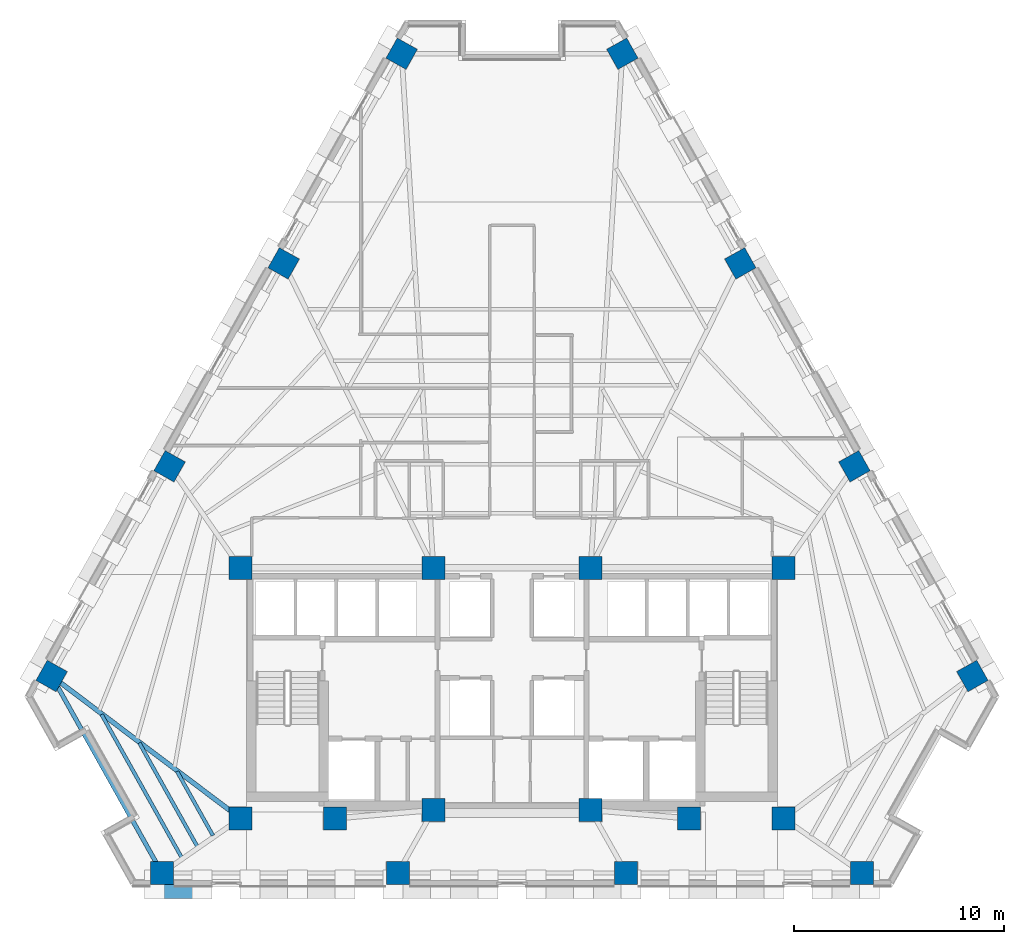
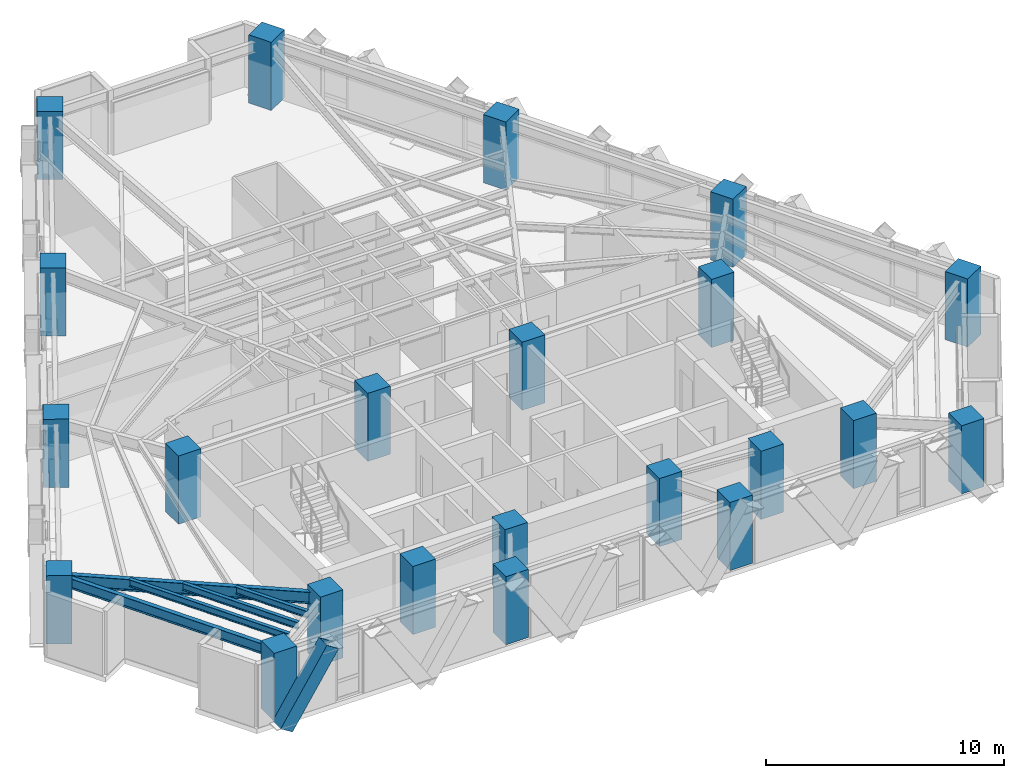
# One storey, part 1 of 13: 22 columns, 5 beams, 1 member.
"""IFC4 building model written with IfcOpenShell, lengths in metres."""

from ifc_helpers import new_model, si_unit, direction, frame, origin, origin_2d, place, context, subcontext, project, spatial, rectangle, hollow_rectangle, i_section, extrude, material, material_profile, profile_set, type_object, element, save


model = new_model("IFC4")

# Units and contexts
model_context = context("Model", 3, precision=1e-05, world=origin(), true_north=direction((0.0, 1.0)))
body_context = subcontext(model_context, "Body", "Model", "MODEL_VIEW")
ifc_project = project(units=[si_unit("LENGTHUNIT", "METRE"), si_unit("AREAUNIT", "SQUARE_METRE"), si_unit("VOLUMEUNIT", "CUBIC_METRE"), si_unit("PLANEANGLEUNIT", "RADIAN"), si_unit("MASSUNIT", "GRAM", prefix="KILO")], contexts=[model_context])

# Site, building, storey
site_placement = place(None, origin())
site = spatial("IfcSite", under=ifc_project, at=site_placement, CompositionType="ELEMENT")
building_placement = place(site_placement, origin())
building = spatial("IfcBuilding", under=site, at=building_placement, Name="Quenlor Broadcast Tower", CompositionType="ELEMENT")
storey_placement = place(building_placement, frame((0.0, 0.0, 98.5)))
storey = spatial("IfcBuildingStorey", under=building, at=storey_placement, Name="L26", CompositionType="ELEMENT", Elevation=98.5)

# Columns
ifc_material_1 = material(Name="Concrete C65/80", Category="concrete")
ifc_material_profile_1 = material_profile(ifc_material_1, rectangle(XDim=1.10009765625, YDim=1.10009765625, at=origin_2d()))
ifc_profile_set_1 = profile_set([ifc_material_profile_1], Name="Concrete C65/80 RC1100x1100")
column_type_1 = type_object("IfcColumnType", Name="Core Corner Column Mid Concrete C65/80 1100", PredefinedType="COLUMN", material=ifc_profile_set_1)
for number, where, z_axis, x_axis, name in (
    (1, (-12.949951171875, -16.75, 0.0), (0.0, 0.0, 1.0), (1.0, 0.0, 0.0), "L26 Core Column CC1"),
    (2, (-8.449951171875, -16.75, 0.0), (0.0, 0.0, 1.0), (1.0, 0.0, 0.0), "L26 Core Column CC2"),
    (3, (-3.75, -16.35009765625, 0.0), (0.0, 0.0, 1.0), (1.0, 0.0, 0.0), "L26 Core Column CC3"),
    (4, (3.75, -16.35009765625, 0.0), (0.0, 0.0, 1.0), (1.0, 0.0, 0.0), "L26 Core Column CC4"),
    (5, (8.449951171875, -16.75, 0.0), (0.0, 0.0, 1.0), (1.0, 0.0, 0.0), "L26 Core Column CC5"),
    (6, (12.949951171875, -16.75, 0.0), (0.0, 0.0, 1.0), (1.0, 0.0, 0.0), "L26 Core Column CC6"),
    (7, (-12.949951171875, -4.800048828125, 0.0), (0.0, 0.0, 1.0), (1.0, 0.0, 0.0), "L26 Core Column CC7"),
    (8, (-3.75, -4.800048828125, 0.0), (0.0, 0.0, 1.0), (1.0, 0.0, 0.0), "L26 Core Column CC8"),
    (9, (3.75, -4.800048828125, 0.0), (0.0, 0.0, 1.0), (1.0, 0.0, 0.0), "L26 Core Column CC9"),
    (10, (12.949951171875, -4.800048828125, 0.0), (0.0, 0.0, 1.0), (1.0, 0.0, 0.0), "L26 Core Column CC10"),
):
    element("IfcColumn", number, at=place(storey_placement, frame(where, z_axis=z_axis, x_axis=x_axis)), inside=storey, type_object=column_type_1, Name=name, PredefinedType="COLUMN", context=body_context, shape_type="SweptSolid", body=[
        extrude(rectangle(XDim=1.10009765625, YDim=1.10009765625, at=origin_2d()), origin(), (0.0, 0.0, 1.0), 3.5),
    ])
ifc_material_2 = material(Name="Concrete C65/80", Category="concrete")
ifc_material_profile_2 = material_profile(ifc_material_2, rectangle(XDim=1.10009765625, YDim=1.10009765625, at=origin_2d()))
ifc_profile_set_2 = profile_set([ifc_material_profile_2], Name="Concrete C65/80 RC1100x1100")
column_type_2 = type_object("IfcColumnType", Name="Tower Perimeter Column Z2 Concrete C65/80 1100", PredefinedType="COLUMN", material=ifc_profile_set_2)
for number, where, z_axis, x_axis, name in (
    (11, (-16.6923828125, -19.35009765625, 0.0), (0.0, 0.0, 1.0), (0.0, 1.0, 0.0), "L26 Perimeter Column S1"),
    (12, (-5.443115234375, -19.35009765625, 0.0), (0.0, 0.0, 1.0), (0.0, 1.0, 0.0), "L26 Perimeter Column S2"),
    (13, (5.443115234375, -19.35009765625, 0.0), (0.0, 0.0, 1.0), (0.0, 1.0, 0.0), "L26 Perimeter Column S3"),
    (14, (16.6923828125, -19.35009765625, 0.0), (0.0, 0.0, 1.0), (0.0, 1.0, 0.0), "L26 Perimeter Column S4"),
    (15, (21.95458984375, -9.95654296875, 0.0), (0.0, 0.0, 1.0), (0.871575139605, 0.490261946333, 0.0), "L26 Perimeter Column NE1"),
    (16, (16.330078125, 0.04296875, 0.0), (0.0, 0.0, 1.0), (0.871575139605, 0.490261946333, 0.0), "L26 Perimeter Column NE2"),
    (17, (10.886962890625, 9.7197265625, 0.0), (0.0, 0.0, 1.0), (0.871575139605, 0.490261946333, 0.0), "L26 Perimeter Column NE3"),
    (18, (5.26220703125, 19.718994140625, 0.0), (0.0, 0.0, 1.0), (0.871575139605, 0.490261946333, 0.0), "L26 Perimeter Column NE4"),
    (19, (-5.26220703125, 19.718994140625, 0.0), (0.0, 0.0, 1.0), (-0.871575139605, 0.490261946333, 0.0), "L26 Perimeter Column NW1"),
    (20, (-10.886962890625, 9.7197265625, 0.0), (0.0, 0.0, 1.0), (-0.871575139605, 0.490261946333, 0.0), "L26 Perimeter Column NW2"),
    (21, (-16.330078125, 0.04296875, 0.0), (0.0, 0.0, 1.0), (-0.871575139605, 0.490261946333, 0.0), "L26 Perimeter Column NW3"),
    (22, (-21.95458984375, -9.95654296875, 0.0), (0.0, 0.0, 1.0), (-0.871575139605, 0.490261946333, 0.0), "L26 Perimeter Column NW4"),
):
    element("IfcColumn", number, at=place(storey_placement, frame(where, z_axis=z_axis, x_axis=x_axis)), inside=storey, type_object=column_type_2, Name=name, PredefinedType="COLUMN", context=body_context, shape_type="SweptSolid", body=[
        extrude(rectangle(XDim=1.10009765625, YDim=1.10009765625, at=origin_2d()), origin(), (0.0, 0.0, 1.0), 3.5),
    ])

# Member
ifc_material_3 = material(Name="Steel S355", Category="steel")
ifc_material_profile_3 = material_profile(ifc_material_3, hollow_rectangle(XDim=0.679931640625, YDim=0.679931640625, WallThickness=0.030029296875, at=origin_2d()))
ifc_profile_set_3 = profile_set([ifc_material_profile_3], Name="Steel S355 RHS680x680x30")
member_type = type_object("IfcMemberType", Name="Perimeter Diagonal Lattice Brace Z2 Steel S355 RHS680x30", PredefinedType="BRACE", material=ifc_profile_set_3)
member_placement = place(storey_placement, frame((-17.030517578125, -20.235107421875, -0.1201171875), z_axis=(0.539968035679, 0.0, 0.841685523485), x_axis=(0.0, 1.0, 0.0)))
element("IfcMember", 23, at=member_placement, inside=storey, type_object=member_type, Name="L26 Perimeter Diamond Lattice S-C5B", PredefinedType="BRACE", context=body_context, shape_type="SweptSolid", body=[
    extrude(hollow_rectangle(XDim=0.679931640625, YDim=0.679931640625, WallThickness=0.030029296875, at=origin_2d()), origin(), (0.0, 0.0, 1.0), 4.158203125),
])

# Beams
ifc_material_4 = material(Name="Steel S355", Category="steel")
ifc_material_profile_4 = material_profile(ifc_material_4, i_section(OverallWidth=0.208984375, OverallDepth=0.5283203125, WebThickness=0.009521484375, FlangeThickness=0.01318359375, FilletRadius=0.013916015625, at=origin_2d()))
ifc_profile_set_4 = profile_set([ifc_material_profile_4], Name="Steel S355 530UB82.0")
beam_type_1 = type_object("IfcBeamType", Name="Perimeter Spandrel Beam Z2 Steel S355 530UB82.0", PredefinedType="SPANDREL", material=ifc_profile_set_4)
beam_1_placement = place(storey_placement, frame((-21.75439453125, -10.314208984375, 2.98583984375), z_axis=(0.488749102779, -0.872424389006, 0.0), x_axis=(0.872424389006, 0.488749102779, 0.0)))
element("IfcBeam", 24, at=beam_1_placement, inside=storey, type_object=beam_type_1, Name="L26 Spandrel Beam NW4-S1", PredefinedType="SPANDREL", context=body_context, shape_type="SweptSolid", body=[
    extrude(i_section(OverallWidth=0.208984375, OverallDepth=0.5283203125, WebThickness=0.009521484375, FlangeThickness=0.01318359375, FilletRadius=0.013916015625, at=origin_2d()), origin(), (0.0, 0.0, 1.0), 9.947021484375),
])
ifc_material_5 = material(Name="Steel S355", Category="steel")
ifc_material_profile_5 = material_profile(ifc_material_5, i_section(OverallWidth=0.172119140625, OverallDepth=0.358642578125, WebThickness=0.008056640625, FlangeThickness=0.012939453125, FilletRadius=0.011474609375, at=origin_2d()))
ifc_profile_set_5 = profile_set([ifc_material_profile_5], Name="Steel S355 360UB56.7")
beam_type_2 = type_object("IfcBeamType", Name="Tower Composite Joist Z2-Z3 Steel S355 360UB56.7", PredefinedType="JOIST", material=ifc_profile_set_5)
beam_2_placement = place(storey_placement, frame((-14.261474609375, -17.564208984375, 3.07080078125), z_axis=(-0.488730779643, 0.87243465373, 0.0), x_axis=(-0.87243465373, -0.488730779643, 0.0)))
element("IfcBeam", 25, at=beam_2_placement, inside=storey, type_object=beam_type_2, Name="L26 Secondary Composite Joist 19", PredefinedType="JOIST", context=body_context, shape_type="SweptSolid", body=[
    extrude(i_section(OverallWidth=0.172119140625, OverallDepth=0.358642578125, WebThickness=0.008056640625, FlangeThickness=0.012939453125, FilletRadius=0.011474609375, at=origin_2d()), origin(), (0.0, 0.0, 1.0), 3.500732421875),
])
beam_3_placement = place(storey_placement, frame((-15.010009765625, -18.084228515625, 3.07080078125), z_axis=(-0.488741419435, 0.87242869332, 0.0), x_axis=(-0.87242869332, -0.488741419435, 0.0)))
element("IfcBeam", 26, at=beam_3_placement, inside=storey, type_object=beam_type_2, Name="L26 Secondary Composite Joist 20", PredefinedType="JOIST", context=body_context, shape_type="SweptSolid", body=[
    extrude(i_section(OverallWidth=0.172119140625, OverallDepth=0.358642578125, WebThickness=0.008056640625, FlangeThickness=0.012939453125, FilletRadius=0.011474609375, at=origin_2d()), origin(), (0.0, 0.0, 1.0), 5.654052734375),
])
beam_4_placement = place(storey_placement, frame((-15.758544921875, -18.604248046875, 3.07080078125), z_axis=(-0.488732857155, 0.872433489922, 0.0), x_axis=(-0.872433489922, -0.488732857155, 0.0)))
element("IfcBeam", 27, at=beam_4_placement, inside=storey, type_object=beam_type_2, Name="L26 Secondary Composite Joist 21", PredefinedType="JOIST", context=body_context, shape_type="SweptSolid", body=[
    extrude(i_section(OverallWidth=0.172119140625, OverallDepth=0.358642578125, WebThickness=0.008056640625, FlangeThickness=0.012939453125, FilletRadius=0.011474609375, at=origin_2d()), origin(), (0.0, 0.0, 1.0), 7.807861328125),
])
ifc_material_6 = material(Name="Steel S355", Category="steel")
ifc_material_profile_6 = material_profile(ifc_material_6, i_section(OverallWidth=0.22802734375, OverallDepth=0.60205078125, WebThickness=0.010498046875, FlangeThickness=0.014892578125, FilletRadius=0.013916015625, at=origin_2d()))
ifc_profile_set_6 = profile_set([ifc_material_profile_6], Name="Steel S355 610UB101")
beam_type_3 = type_object("IfcBeamType", Name="Tower Primary Floor Beam Z2 Steel S355 610UB101", PredefinedType="BEAM", material=ifc_profile_set_6)
beam_5_placement = place(storey_placement, frame((-21.62744140625, -10.203369140625, 2.948974609375), z_axis=(0.798298724007, -0.602261693327, 0.0), x_axis=(0.602261693327, 0.798298724007, 0.0)))
element("IfcBeam", 28, at=beam_5_placement, inside=storey, type_object=beam_type_3, Name="L26 Primary Radial Beam NW4", PredefinedType="BEAM", context=body_context, shape_type="SweptSolid", body=[
    extrude(i_section(OverallWidth=0.22802734375, OverallDepth=0.60205078125, WebThickness=0.010498046875, FlangeThickness=0.014892578125, FilletRadius=0.013916015625, at=origin_2d()), origin(), (0.0, 0.0, 1.0), 10.48974609375),
])

save(model, "model.ifc")
